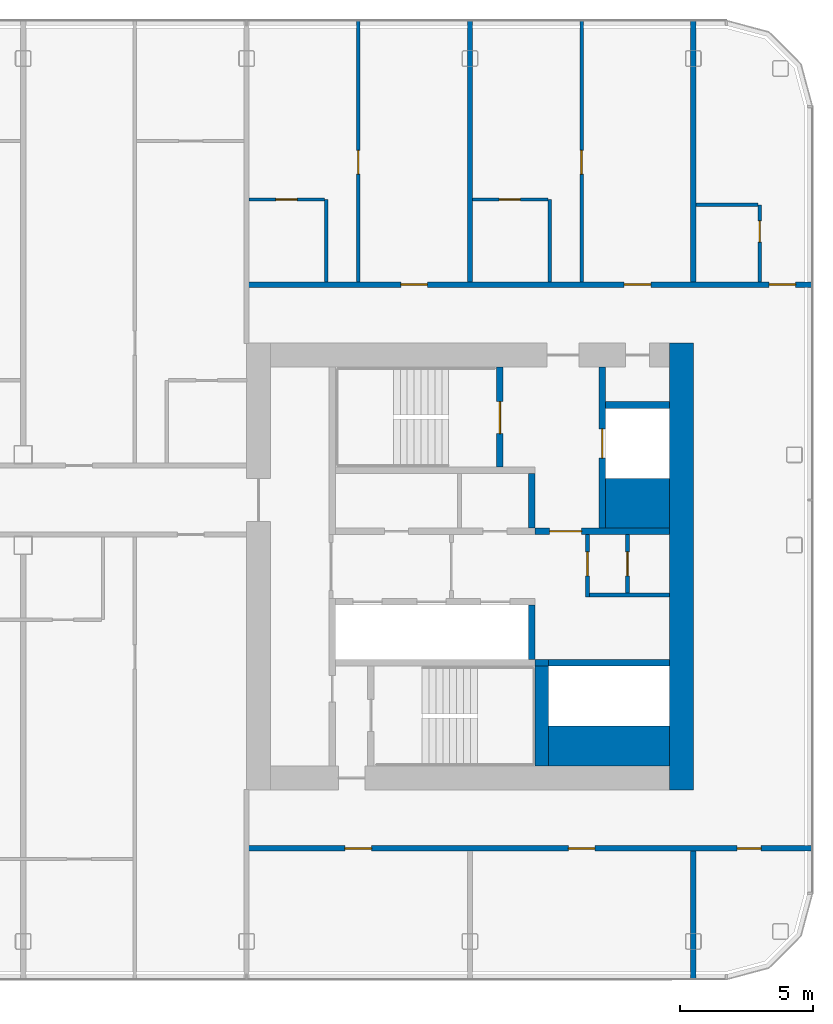
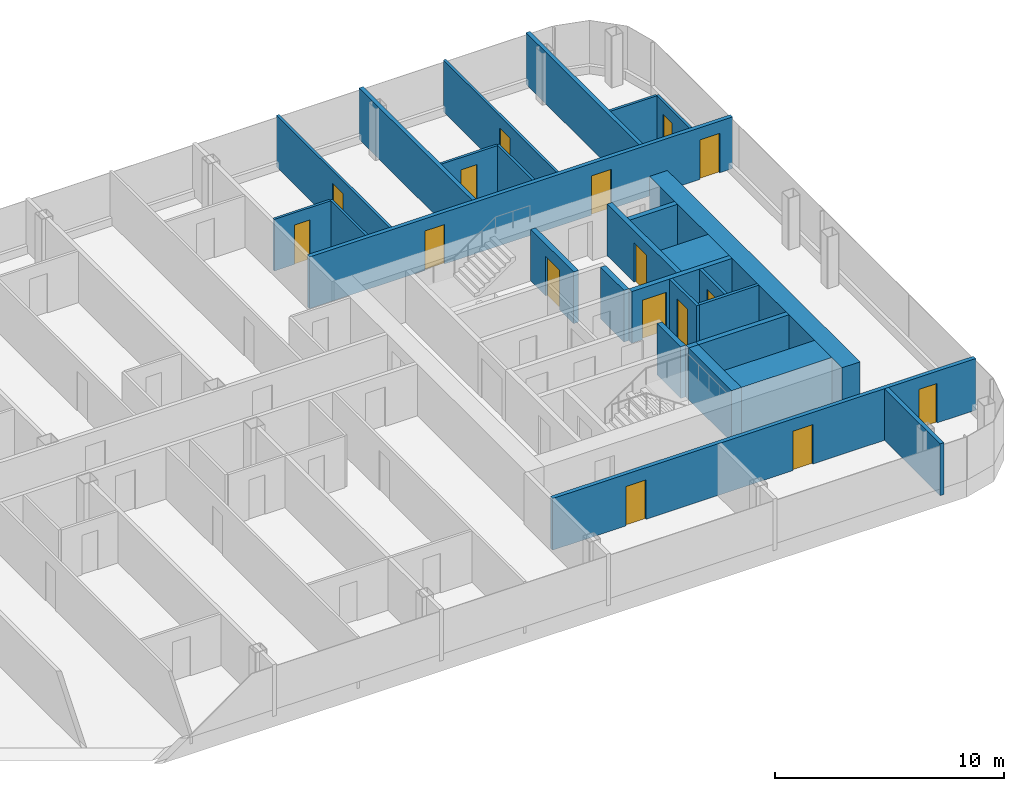
# One storey, part 17 of 26: 28 walls, 16 doors, 16 openings.
"""IFC4 building model written with IfcOpenShell, lengths in metres."""

from ifc_helpers import new_model, si_unit, direction, frame, frame_2d, origin, place, context, subcontext, project, spatial, rectangle, extrude, material, layer, layer_set, type_object, element, fill, save


model = new_model("IFC4")

# Units and contexts
model_context = context("Model", 3, precision=1e-05, world=origin(), true_north=direction((0.0, 1.0)))
body_context = subcontext(model_context, "Body", "Model", "MODEL_VIEW")
ifc_project = project(units=[si_unit("LENGTHUNIT", "METRE"), si_unit("AREAUNIT", "SQUARE_METRE"), si_unit("VOLUMEUNIT", "CUBIC_METRE"), si_unit("PLANEANGLEUNIT", "RADIAN"), si_unit("MASSUNIT", "GRAM", prefix="KILO")], contexts=[model_context])

# Site, building, storey
site_placement = place(None, origin())
site = spatial("IfcSite", under=ifc_project, at=site_placement, CompositionType="ELEMENT")
building_placement = place(site_placement, origin())
building = spatial("IfcBuilding", under=site, at=building_placement, Name="Hakoniwa Tower and Hamabe Station Hall", CompositionType="ELEMENT")
storey_placement = place(building_placement, frame((0.0, 0.0, 215.39990234375)))
storey = spatial("IfcBuildingStorey", under=building, at=storey_placement, Name="L61", CompositionType="ELEMENT", Elevation=215.39990234375)

# Wall
ifc_material_1 = material(Name="Gypsum board partition", Category="gypsum")
ifc_layer_1 = layer(ifc_material_1, 0.125)
ifc_layer_set_1 = layer_set([ifc_layer_1], Name="Bathroom Partition 125")
wall_type_1 = type_object("IfcWallType", Name="Bathroom Partition 125", PredefinedType="PARTITIONING", material=ifc_layer_set_1)
wall_1_placement = place(storey_placement, frame((33.699951171875, 13.60009765625, 0.0), z_axis=(0.0, 0.0, 1.0), x_axis=(1.0, 0.0, 0.0)))
element("IfcWall", 1, at=wall_1_placement, inside=storey, type_object=wall_type_1, Name="GW-L61-017", PredefinedType="PARTITIONING", context=body_context, shape_type="SweptSolid", body=[
    extrude(rectangle(XDim=2.337646484375, YDim=0.125, at=frame_2d((1.1689453125, 0.0))), origin(), (0.0, 0.0, 1.0), 2.75),
])

# Wall, opening, door
wall_2_placement = place(storey_placement, frame((16.89990234375, 13.800048828125, 0.0), z_axis=(0.0, 0.0, 1.0), x_axis=(1.0, 0.0, 0.0)))
wall_2 = element("IfcWall", 2, at=wall_2_placement, inside=storey, type_object=wall_type_1, Name="GW-L61-018", PredefinedType="PARTITIONING", context=body_context, shape_type="SweptSolid", body=[
    extrude(rectangle(XDim=2.837646484375, YDim=0.125, at=frame_2d((1.4189453125, 0.0))), origin(), (0.0, 0.0, 1.0), 2.75),
])
opening_1_placement = place(wall_2_placement, frame((1.0, 0.0, 0.0)))
opening_1 = element("IfcOpeningElement", 3, at=opening_1_placement, cuts=wall_2, Name="Opening GD-G4E1-36", PredefinedType="OPENING", context=body_context, shape_type="SweptSolid", body=[
    extrude(rectangle(XDim=0.800048828125, YDim=2.10009765625, at=frame_2d((0.39990234375, 1.050048828125))), frame((0.0, 0.072509765625, 0.0), z_axis=(0.0, -1.0, 0.0), x_axis=(1.0, 0.0, 0.0)), (0.0, 0.0, 1.0), 0.14501953125),
])
ifc_material_2 = material(Name="Timber door leaf", Category="wood")
door_type_1 = type_object("IfcDoorType", Name="Bathroom Door 800", OperationType="SINGLE_SWING_LEFT", PredefinedType="DOOR", material=ifc_material_2)
door_1_placement = place(opening_1_placement, origin())
door_1 = element("IfcDoor", 4, at=door_1_placement, inside=storey, type_object=door_type_1, Name="Door GD-G4E1-36", OperationType="SINGLE_SWING_LEFT", OverallHeight=2.10009765625, OverallWidth=0.800048828125, PredefinedType="DOOR", context=body_context, shape_type="SweptSolid", body=[
    extrude(rectangle(XDim=0.800048828125, YDim=2.10009765625, at=frame_2d((0.39990234375, 1.050048828125))), frame((0.0, 0.02490234375, 0.0), z_axis=(0.0, -1.0, 0.0), x_axis=(1.0, 0.0, 0.0)), (0.0, 0.0, 1.0), 0.050048828125),
])
fill(opening_1, door_1)

wall_3_placement = place(storey_placement, frame((25.300048828125, 13.800048828125, 0.0), z_axis=(0.0, 0.0, 1.0), x_axis=(1.0, 0.0, 0.0)))
wall_3 = element("IfcWall", 5, at=wall_3_placement, inside=storey, type_object=wall_type_1, Name="GW-L61-019", PredefinedType="PARTITIONING", context=body_context, shape_type="SweptSolid", body=[
    extrude(rectangle(XDim=2.83740234375, YDim=0.125, at=frame_2d((1.418701171875, 0.0))), origin(), (0.0, 0.0, 1.0), 2.75),
])
opening_2_placement = place(wall_3_placement, frame((1.0, 0.0, 0.0)))
opening_2 = element("IfcOpeningElement", 6, at=opening_2_placement, cuts=wall_3, Name="Opening GD-G4E1-37", PredefinedType="OPENING", context=body_context, shape_type="SweptSolid", body=[
    extrude(rectangle(XDim=0.800048828125, YDim=2.10009765625, at=frame_2d((0.39990234375, 1.050048828125))), frame((0.0, 0.072509765625, 0.0), z_axis=(0.0, -1.0, 0.0), x_axis=(1.0, 0.0, 0.0)), (0.0, 0.0, 1.0), 0.14501953125),
])
door_2_placement = place(opening_2_placement, origin())
door_2 = element("IfcDoor", 7, at=door_2_placement, inside=storey, type_object=door_type_1, Name="Door GD-G4E1-37", OperationType="SINGLE_SWING_RIGHT", OverallHeight=2.10009765625, OverallWidth=0.800048828125, PredefinedType="DOOR", context=body_context, shape_type="SweptSolid", body=[
    extrude(rectangle(XDim=0.800048828125, YDim=2.10009765625, at=frame_2d((0.39990234375, 1.050048828125))), frame((0.0, 0.02490234375, 0.0), z_axis=(0.0, -1.0, 0.0), x_axis=(1.0, 0.0, 0.0)), (0.0, 0.0, 1.0), 0.050048828125),
])
fill(opening_2, door_2)

# Walls
for number, where, z_axis, x_axis, name in (
    (8, (19.800048828125, 10.699951171875, 0.0), (0.0, 0.0, 1.0), (0.0, 1.0, 0.0), "GW-L61-056"),
    (9, (28.199951171875, 10.699951171875, 0.0), (0.0, 0.0, 1.0), (0.0, 1.0, 0.0), "GW-L61-060"),
):
    element("IfcWall", number, at=place(storey_placement, frame(where, z_axis=z_axis, x_axis=x_axis)), inside=storey, type_object=wall_type_1, Name=name, PredefinedType="PARTITIONING", context=body_context, shape_type="SweptSolid", body=[
        extrude(rectangle(XDim=3.10009765625, YDim=0.125, at=frame_2d((1.550048828125, 0.0))), origin(), (0.0, 0.0, 1.0), 2.75),
    ])

# Wall, opening, door
wall_4_placement = place(storey_placement, frame((36.10009765625, 10.699951171875, 0.0), z_axis=(0.0, 0.0, 1.0), x_axis=(0.0, 1.0, 0.0)))
wall_4 = element("IfcWall", 10, at=wall_4_placement, inside=storey, type_object=wall_type_1, Name="GW-L61-064", PredefinedType="PARTITIONING", context=body_context, shape_type="SweptSolid", body=[
    extrude(rectangle(XDim=2.900146484375, YDim=0.125, at=frame_2d((1.4501953125, 0.0))), origin(), (0.0, 0.0, 1.0), 2.75),
])
opening_3_placement = place(wall_4_placement, frame((1.5, 0.0, 0.0)))
opening_3 = element("IfcOpeningElement", 11, at=opening_3_placement, cuts=wall_4, Name="Opening GD-G4E1-51", PredefinedType="OPENING", context=body_context, shape_type="SweptSolid", body=[
    extrude(rectangle(XDim=0.800048828125, YDim=2.10009765625, at=frame_2d((0.39990234375, 1.050048828125))), frame((0.0, 0.072509765625, 0.0), z_axis=(0.0, -1.0, 0.0), x_axis=(1.0, 0.0, 0.0)), (0.0, 0.0, 1.0), 0.14501953125),
])
door_3_placement = place(opening_3_placement, origin())
door_3 = element("IfcDoor", 12, at=door_3_placement, inside=storey, type_object=door_type_1, Name="Door GD-G4E1-51", OperationType="SINGLE_SWING_LEFT", OverallHeight=2.10009765625, OverallWidth=0.800048828125, PredefinedType="DOOR", context=body_context, shape_type="SweptSolid", body=[
    extrude(rectangle(XDim=0.800048828125, YDim=2.10009765625, at=frame_2d((0.39990234375, 1.050048828125))), frame((0.0, 0.02490234375, 0.0), z_axis=(0.0, -1.0, 0.0), x_axis=(1.0, 0.0, 0.0)), (0.0, 0.0, 1.0), 0.050048828125),
])
fill(opening_3, door_3)

ifc_material_3 = material(Name="Gypsum board partition")
ifc_layer_2 = layer(ifc_material_3, 0.14990234375)
ifc_layer_set_2 = layer_set([ifc_layer_2], Name="CORE PARTITION 150 EI 60")
wall_type_2 = type_object("IfcWallType", Name="CORE PARTITION 150 EI 60", PredefinedType="PARTITIONING", material=ifc_layer_set_2)
wall_5_placement = place(storey_placement, frame((29.625, -1.14990234375, 0.0), z_axis=(0.0, 0.0, 1.0), x_axis=(0.0, 1.0, 0.0)))
wall_5 = element("IfcWall", 13, at=wall_5_placement, inside=storey, type_object=wall_type_2, Name="Core partition PW0 east", PredefinedType="PARTITIONING", context=body_context, shape_type="SweptSolid", body=[
    extrude(rectangle(XDim=2.349853515625, YDim=0.14990234375, at=frame_2d((1.1748046875, 0.0))), origin(), (0.0, 0.0, 1.0), 2.75),
])
opening_4_placement = place(wall_5_placement, frame((0.800048828125, 0.0, 0.0)))
opening_4 = element("IfcOpeningElement", 14, at=opening_4_placement, cuts=wall_5, Name="Opening CD-E-RM1-9", PredefinedType="OPENING", context=body_context, shape_type="SweptSolid", body=[
    extrude(rectangle(XDim=0.89990234375, YDim=2.10009765625, at=frame_2d((0.449951171875, 1.050048828125))), frame((0.0, 0.0849609375, 0.0), z_axis=(0.0, -1.0, 0.0), x_axis=(1.0, 0.0, 0.0)), (0.0, 0.0, 1.0), 0.169921875),
])
ifc_material_4 = material(Name="Steel fire door", Category="steel")
door_type_2 = type_object("IfcDoorType", Name="CORE DOOR 900 FD30", OperationType="NOTDEFINED", PredefinedType="DOOR", material=ifc_material_4)
door_4_placement = place(opening_4_placement, origin())
door_4 = element("IfcDoor", 15, at=door_4_placement, inside=storey, type_object=door_type_2, Name="Store room door", OperationType="SINGLE_SWING_LEFT", OverallHeight=2.10009765625, OverallWidth=0.89990234375, PredefinedType="DOOR", context=body_context, shape_type="SweptSolid", body=[
    extrude(rectangle(XDim=0.89990234375, YDim=2.10009765625, at=frame_2d((0.449951171875, 1.050048828125))), frame((0.0, 0.02490234375, 0.0), z_axis=(0.0, -1.0, 0.0), x_axis=(1.0, 0.0, 0.0)), (0.0, 0.0, 1.0), 0.050048828125),
])
fill(opening_4, door_4)

# Wall
wall_6_placement = place(storey_placement, frame((29.699951171875, -1.074951171875, 0.0), z_axis=(0.0, 0.0, 1.0), x_axis=(1.0, 0.0, 0.0)))
element("IfcWall", 16, at=wall_6_placement, inside=storey, type_object=wall_type_2, Name="Core partition PS east", PredefinedType="PARTITIONING", context=body_context, shape_type="SweptSolid", body=[
    extrude(rectangle(XDim=3.0, YDim=0.14990234375, at=frame_2d((1.5, 0.0))), origin(), (0.0, 0.0, 1.0), 2.75),
])

# Wall, opening, door
wall_7_placement = place(storey_placement, frame((31.125, -1.0, 0.0), z_axis=(0.0, 0.0, 1.0), x_axis=(0.0, 1.0, 0.0)))
wall_7 = element("IfcWall", 17, at=wall_7_placement, inside=storey, type_object=wall_type_2, Name="Core partition PW1 east", PredefinedType="PARTITIONING", context=body_context, shape_type="SweptSolid", body=[
    extrude(rectangle(XDim=2.199951171875, YDim=0.14990234375, at=frame_2d((1.10009765625, 0.0))), origin(), (0.0, 0.0, 1.0), 2.75),
])
opening_5_placement = place(wall_7_placement, frame((0.64990234375, 0.0, 0.0)))
opening_5 = element("IfcOpeningElement", 18, at=opening_5_placement, cuts=wall_7, Name="Opening CD-E-RM2-9", PredefinedType="OPENING", context=body_context, shape_type="SweptSolid", body=[
    extrude(rectangle(XDim=0.89990234375, YDim=2.10009765625, at=frame_2d((0.449951171875, 1.050048828125))), frame((0.0, 0.0849609375, 0.0), z_axis=(0.0, -1.0, 0.0), x_axis=(1.0, 0.0, 0.0)), (0.0, 0.0, 1.0), 0.169921875),
])
door_5_placement = place(opening_5_placement, origin())
door_5 = element("IfcDoor", 19, at=door_5_placement, inside=storey, type_object=door_type_2, Name="Store room door", OperationType="SINGLE_SWING_LEFT", OverallHeight=2.10009765625, OverallWidth=0.89990234375, PredefinedType="DOOR", context=body_context, shape_type="SweptSolid", body=[
    extrude(rectangle(XDim=0.89990234375, YDim=2.10009765625, at=frame_2d((0.449951171875, 1.050048828125))), frame((0.0, 0.02490234375, 0.0), z_axis=(0.0, -1.0, 0.0), x_axis=(1.0, 0.0, 0.0)), (0.0, 0.0, 1.0), 0.050048828125),
])
fill(opening_5, door_5)

# Walls
ifc_material_5 = material(Name="Concrete C60", Category="concrete")
ifc_layer_3 = layer(ifc_material_5, 0.89990234375)
ifc_layer_set_3 = layer_set([ifc_layer_3], Name="CORE WALL 900 C60")
wall_type_3 = type_object("IfcWallType", Name="CORE WALL 900 C60", PredefinedType="SHEAR", material=ifc_layer_set_3)
wall_8_placement = place(storey_placement, frame((33.14990234375, -8.39990234375, 0.0), z_axis=(0.0, 0.0, 1.0), x_axis=(0.0, 1.0, 0.0)))
element("IfcWall", 20, at=wall_8_placement, inside=storey, type_object=wall_type_3, Name="Core wall OUTER east", PredefinedType="SHEAR", context=body_context, shape_type="SweptSolid", body=[
    extrude(rectangle(XDim=16.7998046875, YDim=0.89990234375, at=frame_2d((8.39990234375, 0.0))), origin(), (0.0, 0.0, 1.0), 2.75),
])
ifc_material_6 = material(Name="Concrete C60", Category="concrete")
ifc_layer_4 = layer(ifc_material_6, 1.5)
ifc_layer_set_4 = layer_set([ifc_layer_4], Name="CORE WEB WALL 1500 C60")
wall_type_4 = type_object("IfcWallType", Name="CORE WEB WALL 1500 C60", PredefinedType="SHEAR", material=ifc_layer_set_4)
wall_9_placement = place(storey_placement, frame((28.14990234375, -6.75, 0.0), z_axis=(0.0, 0.0, 1.0), x_axis=(1.0, 0.0, 0.0)))
element("IfcWall", 21, at=wall_9_placement, inside=storey, type_object=wall_type_4, Name="Core wall SER east", PredefinedType="SHEAR", context=body_context, shape_type="SweptSolid", body=[
    extrude(rectangle(XDim=4.550048828125, YDim=1.5, at=frame_2d((2.27490234375, 0.0))), origin(), (0.0, 0.0, 1.0), 2.75),
])
ifc_material_7 = material(Name="Concrete C60", Category="concrete")
ifc_layer_5 = layer(ifc_material_7, 1.85009765625)
ifc_layer_set_5 = layer_set([ifc_layer_5], Name="CORE WEB WALL 1850 C60")
wall_type_5 = type_object("IfcWallType", Name="CORE WEB WALL 1850 C60", PredefinedType="SHEAR", material=ifc_layer_set_5)
wall_10_placement = place(storey_placement, frame((30.300048828125, 2.375, 0.0), z_axis=(0.0, 0.0, 1.0), x_axis=(1.0, 0.0, 0.0)))
element("IfcWall", 22, at=wall_10_placement, inside=storey, type_object=wall_type_5, Name="Core wall CA east", PredefinedType="SHEAR", context=body_context, shape_type="SweptSolid", body=[
    extrude(rectangle(XDim=2.39990234375, YDim=1.85009765625, at=frame_2d((1.199951171875, 0.0))), origin(), (0.0, 0.0, 1.0), 2.75),
])
ifc_material_8 = material(Name="Concrete C60", Category="concrete")
ifc_layer_6 = layer(ifc_material_8, 0.25)
ifc_layer_set_6 = layer_set([ifc_layer_6], Name="CORE WEB WALL 250 C60")
wall_type_6 = type_object("IfcWallType", Name="CORE WEB WALL 250 C60", PredefinedType="SHEAR", material=ifc_layer_set_6)
wall_11_placement = place(storey_placement, frame((27.52490234375, 1.449951171875, 0.0), z_axis=(0.0, 0.0, 1.0), x_axis=(0.0, 1.0, 0.0)))
element("IfcWall", 23, at=wall_11_placement, inside=storey, type_object=wall_type_6, Name="Core wall NE east", PredefinedType="SHEAR", context=body_context, shape_type="SweptSolid", body=[
    extrude(rectangle(XDim=2.050048828125, YDim=0.25, at=frame_2d((1.02490234375, 0.0))), origin(), (0.0, 0.0, 1.0), 2.75),
])

# Wall, opening, door
wall_12_placement = place(storey_placement, frame((26.324951171875, 3.75, 0.0), z_axis=(0.0, 0.0, 1.0), x_axis=(0.0, 1.0, 0.0)))
wall_12 = element("IfcWall", 24, at=wall_12_placement, inside=storey, type_object=wall_type_6, Name="Core wall NSE east", PredefinedType="SHEAR", context=body_context, shape_type="SweptSolid", body=[
    extrude(rectangle(XDim=3.75, YDim=0.25, at=frame_2d((1.875, 0.0))), origin(), (0.0, 0.0, 1.0), 2.75),
])
opening_6_placement = place(wall_12_placement, frame((1.25, 0.0, 0.0)))
opening_6 = element("IfcOpeningElement", 25, at=opening_6_placement, cuts=wall_12, Name="Opening CD-E-SN-12", PredefinedType="OPENING", context=body_context, shape_type="SweptSolid", body=[
    extrude(rectangle(XDim=1.199951171875, YDim=2.10009765625, at=frame_2d((0.60009765625, 1.050048828125))), frame((0.0, 0.135009765625, 0.0), z_axis=(0.0, -1.0, 0.0), x_axis=(1.0, 0.0, 0.0)), (0.0, 0.0, 1.0), 0.27001953125),
])
ifc_material_9 = material(Name="Steel fire door", Category="steel")
door_type_3 = type_object("IfcDoorType", Name="CORE DOOR 1200 FD60", OperationType="DOUBLE_DOOR_SINGLE_SWING", PredefinedType="DOOR", material=ifc_material_9)
door_6_placement = place(opening_6_placement, origin())
door_6 = element("IfcDoor", 26, at=door_6_placement, inside=storey, type_object=door_type_3, Name="Escape stair door", OperationType="DOUBLE_DOOR_SINGLE_SWING", OverallHeight=2.10009765625, OverallWidth=1.199951171875, PredefinedType="DOOR", context=body_context, shape_type="SweptSolid", body=[
    extrude(rectangle(XDim=1.199951171875, YDim=2.10009765625, at=frame_2d((0.60009765625, 1.050048828125))), frame((0.0, 0.02490234375, 0.0), z_axis=(0.0, -1.0, 0.0), x_axis=(1.0, 0.0, 0.0)), (0.0, 0.0, 1.0), 0.050048828125),
])
fill(opening_6, door_6)

wall_13_placement = place(storey_placement, frame((27.64990234375, 1.324951171875, 0.0), z_axis=(0.0, 0.0, 1.0), x_axis=(1.0, 0.0, 0.0)))
wall_13 = element("IfcWall", 27, at=wall_13_placement, inside=storey, type_object=wall_type_6, Name="Core wall ELN east", PredefinedType="SHEAR", context=body_context, shape_type="SweptSolid", body=[
    extrude(rectangle(XDim=5.050048828125, YDim=0.25, at=frame_2d((2.52490234375, 0.0))), origin(), (0.0, 0.0, 1.0), 2.75),
])
opening_7_placement = place(wall_13_placement, frame((0.550048828125, 0.0, 0.0)))
opening_7 = element("IfcOpeningElement", 28, at=opening_7_placement, cuts=wall_13, Name="Opening CD-E-FL-12", PredefinedType="OPENING", context=body_context, shape_type="SweptSolid", body=[
    extrude(rectangle(XDim=1.199951171875, YDim=2.10009765625, at=frame_2d((0.60009765625, 1.050048828125))), frame((0.0, 0.135009765625, 0.0), z_axis=(0.0, -1.0, 0.0), x_axis=(1.0, 0.0, 0.0)), (0.0, 0.0, 1.0), 0.27001953125),
])
door_7_placement = place(opening_7_placement, origin())
door_7 = element("IfcDoor", 29, at=door_7_placement, inside=storey, type_object=door_type_3, Name="Stair vestibule door to the fire-fighting lobby", OperationType="DOUBLE_DOOR_SINGLE_SWING", OverallHeight=2.10009765625, OverallWidth=1.199951171875, PredefinedType="DOOR", context=body_context, shape_type="SweptSolid", body=[
    extrude(rectangle(XDim=1.199951171875, YDim=2.10009765625, at=frame_2d((0.60009765625, 1.050048828125))), frame((0.0, 0.02490234375, 0.0), z_axis=(0.0, -1.0, 0.0), x_axis=(1.0, 0.0, 0.0)), (0.0, 0.0, 1.0), 0.050048828125),
])
fill(opening_7, door_7)

wall_14_placement = place(storey_placement, frame((30.175048828125, 1.449951171875, 0.0), z_axis=(0.0, 0.0, 1.0), x_axis=(0.0, 1.0, 0.0)))
wall_14 = element("IfcWall", 30, at=wall_14_placement, inside=storey, type_object=wall_type_6, Name="Core wall FFF east", PredefinedType="SHEAR", context=body_context, shape_type="SweptSolid", body=[
    extrude(rectangle(XDim=6.050048828125, YDim=0.25, at=frame_2d((3.02490234375, 0.0))), origin(), (0.0, 0.0, 1.0), 2.75),
])
opening_8_placement = place(wall_14_placement, frame((2.625, 0.0, 0.0)))
opening_8 = element("IfcOpeningElement", 31, at=opening_8_placement, cuts=wall_14, Name="Opening LD-FF2", PredefinedType="OPENING", context=body_context, shape_type="SweptSolid", body=[
    extrude(rectangle(XDim=1.10009765625, YDim=2.10009765625, at=frame_2d((0.550048828125, 1.050048828125))), frame((0.0, 0.135009765625, 0.0), z_axis=(0.0, -1.0, 0.0), x_axis=(1.0, 0.0, 0.0)), (0.0, 0.0, 1.0), 0.27001953125),
])
ifc_material_10 = material(Name="Stainless steel SUS304", Category="steel")
door_type_4 = type_object("IfcDoorType", Name="LIFT LANDING DOOR 1100 FD60", OperationType="DOUBLE_DOOR_SLIDING", PredefinedType="DOOR", material=ifc_material_10)
door_8_placement = place(opening_8_placement, origin())
door_8 = element("IfcDoor", 32, at=door_8_placement, inside=storey, type_object=door_type_4, Name="Lift landing door FF2 L61", OperationType="DOUBLE_DOOR_SLIDING", OverallHeight=2.10009765625, OverallWidth=1.10009765625, PredefinedType="DOOR", context=body_context, shape_type="SweptSolid", body=[
    extrude(rectangle(XDim=1.10009765625, YDim=2.10009765625, at=frame_2d((0.550048828125, 1.050048828125))), frame((0.0, 0.02490234375, 0.0), z_axis=(0.0, -1.0, 0.0), x_axis=(1.0, 0.0, 0.0)), (0.0, 0.0, 1.0), 0.050048828125),
])
fill(opening_8, door_8)

# Walls
wall_15_placement = place(storey_placement, frame((30.300048828125, 6.074951171875, 0.0), z_axis=(0.0, 0.0, 1.0), x_axis=(1.0, 0.0, 0.0)))
element("IfcWall", 33, at=wall_15_placement, inside=storey, type_object=wall_type_6, Name="Core wall C2 east", PredefinedType="SHEAR", context=body_context, shape_type="SweptSolid", body=[
    extrude(rectangle(XDim=2.39990234375, YDim=0.25, at=frame_2d((1.199951171875, 0.0))), origin(), (0.0, 0.0, 1.0), 2.75),
])
wall_16_placement = place(storey_placement, frame((27.52490234375, -3.5, 0.0), z_axis=(0.0, 0.0, 1.0), x_axis=(0.0, 1.0, 0.0)))
element("IfcWall", 34, at=wall_16_placement, inside=storey, type_object=wall_type_6, Name="Core wall SE east", PredefinedType="SHEAR", context=body_context, shape_type="SweptSolid", body=[
    extrude(rectangle(XDim=2.050048828125, YDim=0.25, at=frame_2d((1.02490234375, 0.0))), origin(), (0.0, 0.0, 1.0), 2.75),
])
wall_17_placement = place(storey_placement, frame((28.14990234375, -3.625, 0.0), z_axis=(0.0, 0.0, 1.0), x_axis=(1.0, 0.0, 0.0)))
element("IfcWall", 35, at=wall_17_placement, inside=storey, type_object=wall_type_6, Name="Core wall SEF east", PredefinedType="SHEAR", context=body_context, shape_type="SweptSolid", body=[
    extrude(rectangle(XDim=4.550048828125, YDim=0.25, at=frame_2d((2.27490234375, 0.0))), origin(), (0.0, 0.0, 1.0), 2.75),
])
wall_18_placement = place(storey_placement, frame((27.64990234375, -3.625, 0.0), z_axis=(0.0, 0.0, 1.0), x_axis=(1.0, 0.0, 0.0)))
element("IfcWall", 36, at=wall_18_placement, inside=storey, type_object=wall_type_6, Name="Core wall SRK east", PredefinedType="SHEAR", context=body_context, shape_type="SweptSolid", body=[
    extrude(rectangle(XDim=0.5, YDim=0.25, at=frame_2d((0.25, 0.0))), origin(), (0.0, 0.0, 1.0), 2.75),
])
ifc_material_11 = material(Name="Concrete C60", Category="concrete")
ifc_layer_7 = layer(ifc_material_11, 0.5)
ifc_layer_set_7 = layer_set([ifc_layer_7], Name="CORE WEB WALL 500 C60")
wall_type_7 = type_object("IfcWallType", Name="CORE WEB WALL 500 C60", PredefinedType="SHEAR", material=ifc_layer_set_7)
wall_19_placement = place(storey_placement, frame((27.89990234375, -7.5, 0.0), z_axis=(0.0, 0.0, 1.0), x_axis=(0.0, 1.0, 0.0)))
element("IfcWall", 37, at=wall_19_placement, inside=storey, type_object=wall_type_7, Name="Core wall SSE east", PredefinedType="SHEAR", context=body_context, shape_type="SweptSolid", body=[
    extrude(rectangle(XDim=3.75, YDim=0.5, at=frame_2d((1.875, 0.0))), origin(), (0.0, 0.0, 1.0), 2.75),
])

# Wall, openings, doors
ifc_material_12 = material(Name="Fire-rated gypsum board partition", Category="gypsum")
ifc_layer_8 = layer(ifc_material_12, 0.199951171875)
ifc_layer_set_8 = layer_set([ifc_layer_8], Name="Corridor Wall 200")
wall_type_8 = type_object("IfcWallType", Name="Corridor Wall 200", PredefinedType="PARTITIONING", material=ifc_layer_set_8)
wall_20_placement = place(storey_placement, frame((16.800048828125, -10.60009765625, 0.0), z_axis=(0.0, 0.0, 1.0), x_axis=(1.0, 0.0, 0.0)))
wall_20 = element("IfcWall", 38, at=wall_20_placement, inside=storey, type_object=wall_type_8, Name="GW-L61-005", PredefinedType="PARTITIONING", context=body_context, shape_type="SweptSolid", body=[
    extrude(rectangle(XDim=21.300048828125, YDim=0.199951171875, at=frame_2d((10.64990234375, 0.0))), origin(), (0.0, 0.0, 1.0), 2.75),
])
opening_9_placement = place(wall_20_placement, frame((3.699951171875, 0.0, 0.0)))
opening_9 = element("IfcOpeningElement", 39, at=opening_9_placement, cuts=wall_20, Name="Opening GD-G4E1-10", PredefinedType="OPENING", context=body_context, shape_type="SweptSolid", body=[
    extrude(rectangle(XDim=1.0, YDim=2.10009765625, at=frame_2d((0.5, 1.050048828125))), frame((0.0, 0.10986328125, 0.0), z_axis=(0.0, -1.0, 0.0), x_axis=(1.0, 0.0, 0.0)), (0.0, 0.0, 1.0), 0.219970703125),
])
opening_10_placement = place(wall_20_placement, frame((12.10009765625, 0.0, 0.0)))
opening_10 = element("IfcOpeningElement", 40, at=opening_10_placement, cuts=wall_20, Name="Opening GD-G4E1-11", PredefinedType="OPENING", context=body_context, shape_type="SweptSolid", body=[
    extrude(rectangle(XDim=1.0, YDim=2.10009765625, at=frame_2d((0.5, 1.050048828125))), frame((0.0, 0.10986328125, 0.0), z_axis=(0.0, -1.0, 0.0), x_axis=(1.0, 0.0, 0.0)), (0.0, 0.0, 1.0), 0.219970703125),
])
opening_11_placement = place(wall_20_placement, frame((18.449951171875, 0.0, 0.0)))
opening_11 = element("IfcOpeningElement", 41, at=opening_11_placement, cuts=wall_20, Name="Opening GD-G4E1-12", PredefinedType="OPENING", context=body_context, shape_type="SweptSolid", body=[
    extrude(rectangle(XDim=0.89990234375, YDim=2.10009765625, at=frame_2d((0.449951171875, 1.050048828125))), frame((0.0, 0.10986328125, 0.0), z_axis=(0.0, -1.0, 0.0), x_axis=(1.0, 0.0, 0.0)), (0.0, 0.0, 1.0), 0.219970703125),
])
ifc_material_13 = material(Name="Timber door leaf", Category="wood")
door_type_5 = type_object("IfcDoorType", Name="Guest Entrance Door 1000", OperationType="SINGLE_SWING_LEFT", PredefinedType="DOOR", material=ifc_material_13)
door_9_placement = place(opening_9_placement, origin())
door_9 = element("IfcDoor", 42, at=door_9_placement, inside=storey, type_object=door_type_5, Name="Door GD-G4E1-10", OperationType="SINGLE_SWING_LEFT", OverallHeight=2.10009765625, OverallWidth=1.0, PredefinedType="DOOR", context=body_context, shape_type="SweptSolid", body=[
    extrude(rectangle(XDim=1.0, YDim=2.10009765625, at=frame_2d((0.5, 1.050048828125))), frame((0.0, 0.02490234375, 0.0), z_axis=(0.0, -1.0, 0.0), x_axis=(1.0, 0.0, 0.0)), (0.0, 0.0, 1.0), 0.050048828125),
])
fill(opening_9, door_9)
door_10_placement = place(opening_10_placement, origin())
door_10 = element("IfcDoor", 43, at=door_10_placement, inside=storey, type_object=door_type_5, Name="Door GD-G4E1-11", OperationType="SINGLE_SWING_RIGHT", OverallHeight=2.10009765625, OverallWidth=1.0, PredefinedType="DOOR", context=body_context, shape_type="SweptSolid", body=[
    extrude(rectangle(XDim=1.0, YDim=2.10009765625, at=frame_2d((0.5, 1.050048828125))), frame((0.0, 0.02490234375, 0.0), z_axis=(0.0, -1.0, 0.0), x_axis=(1.0, 0.0, 0.0)), (0.0, 0.0, 1.0), 0.050048828125),
])
fill(opening_10, door_10)
ifc_material_14 = material(Name="Timber door leaf", Category="wood")
door_type_6 = type_object("IfcDoorType", Name="Service Door 900", OperationType="SINGLE_SWING_LEFT", PredefinedType="DOOR", material=ifc_material_14)
door_11_placement = place(opening_11_placement, origin())
door_11 = element("IfcDoor", 44, at=door_11_placement, inside=storey, type_object=door_type_6, Name="Door GD-G4E1-12", OperationType="SINGLE_SWING_LEFT", OverallHeight=2.10009765625, OverallWidth=0.89990234375, PredefinedType="DOOR", context=body_context, shape_type="SweptSolid", body=[
    extrude(rectangle(XDim=0.89990234375, YDim=2.10009765625, at=frame_2d((0.449951171875, 1.050048828125))), frame((0.0, 0.02490234375, 0.0), z_axis=(0.0, -1.0, 0.0), x_axis=(1.0, 0.0, 0.0)), (0.0, 0.0, 1.0), 0.050048828125),
])
fill(opening_11, door_11)

wall_21_placement = place(storey_placement, frame((16.800048828125, 10.60009765625, 0.0), z_axis=(0.0, 0.0, 1.0), x_axis=(1.0, 0.0, 0.0)))
wall_21 = element("IfcWall", 45, at=wall_21_placement, inside=storey, type_object=wall_type_8, Name="GW-L61-016", PredefinedType="PARTITIONING", context=body_context, shape_type="SweptSolid", body=[
    extrude(rectangle(XDim=21.300048828125, YDim=0.199951171875, at=frame_2d((10.64990234375, 0.0))), origin(), (0.0, 0.0, 1.0), 2.75),
])
opening_12_placement = place(wall_21_placement, frame((5.800048828125, 0.0, 0.0)))
opening_12 = element("IfcOpeningElement", 46, at=opening_12_placement, cuts=wall_21, Name="Opening GD-G4E1-33", PredefinedType="OPENING", context=body_context, shape_type="SweptSolid", body=[
    extrude(rectangle(XDim=1.0, YDim=2.10009765625, at=frame_2d((0.5, 1.050048828125))), frame((0.0, 0.10986328125, 0.0), z_axis=(0.0, -1.0, 0.0), x_axis=(1.0, 0.0, 0.0)), (0.0, 0.0, 1.0), 0.219970703125),
])
opening_13_placement = place(wall_21_placement, frame((14.199951171875, 0.0, 0.0)))
opening_13 = element("IfcOpeningElement", 47, at=opening_13_placement, cuts=wall_21, Name="Opening GD-G4E1-34", PredefinedType="OPENING", context=body_context, shape_type="SweptSolid", body=[
    extrude(rectangle(XDim=1.0, YDim=2.10009765625, at=frame_2d((0.5, 1.050048828125))), frame((0.0, 0.10986328125, 0.0), z_axis=(0.0, -1.0, 0.0), x_axis=(1.0, 0.0, 0.0)), (0.0, 0.0, 1.0), 0.219970703125),
])
opening_14_placement = place(wall_21_placement, frame((19.64990234375, 0.0, 0.0)))
opening_14 = element("IfcOpeningElement", 48, at=opening_14_placement, cuts=wall_21, Name="Opening GD-G4E1-35", PredefinedType="OPENING", context=body_context, shape_type="SweptSolid", body=[
    extrude(rectangle(XDim=1.0, YDim=2.10009765625, at=frame_2d((0.5, 1.050048828125))), frame((0.0, 0.10986328125, 0.0), z_axis=(0.0, -1.0, 0.0), x_axis=(1.0, 0.0, 0.0)), (0.0, 0.0, 1.0), 0.219970703125),
])
door_12_placement = place(opening_12_placement, origin())
door_12 = element("IfcDoor", 49, at=door_12_placement, inside=storey, type_object=door_type_5, Name="Door GD-G4E1-33", OperationType="SINGLE_SWING_RIGHT", OverallHeight=2.10009765625, OverallWidth=1.0, PredefinedType="DOOR", context=body_context, shape_type="SweptSolid", body=[
    extrude(rectangle(XDim=1.0, YDim=2.10009765625, at=frame_2d((0.5, 1.050048828125))), frame((0.0, 0.02490234375, 0.0), z_axis=(0.0, -1.0, 0.0), x_axis=(1.0, 0.0, 0.0)), (0.0, 0.0, 1.0), 0.050048828125),
])
fill(opening_12, door_12)
door_13_placement = place(opening_13_placement, origin())
door_13 = element("IfcDoor", 50, at=door_13_placement, inside=storey, type_object=door_type_5, Name="Door GD-G4E1-34", OperationType="SINGLE_SWING_LEFT", OverallHeight=2.10009765625, OverallWidth=1.0, PredefinedType="DOOR", context=body_context, shape_type="SweptSolid", body=[
    extrude(rectangle(XDim=1.0, YDim=2.10009765625, at=frame_2d((0.5, 1.050048828125))), frame((0.0, 0.02490234375, 0.0), z_axis=(0.0, -1.0, 0.0), x_axis=(1.0, 0.0, 0.0)), (0.0, 0.0, 1.0), 0.050048828125),
])
fill(opening_13, door_13)
door_14_placement = place(opening_14_placement, origin())
door_14 = element("IfcDoor", 51, at=door_14_placement, inside=storey, type_object=door_type_5, Name="Door GD-G4E1-35", OperationType="SINGLE_SWING_RIGHT", OverallHeight=2.10009765625, OverallWidth=1.0, PredefinedType="DOOR", context=body_context, shape_type="SweptSolid", body=[
    extrude(rectangle(XDim=1.0, YDim=2.10009765625, at=frame_2d((0.5, 1.050048828125))), frame((0.0, 0.02490234375, 0.0), z_axis=(0.0, -1.0, 0.0), x_axis=(1.0, 0.0, 0.0)), (0.0, 0.0, 1.0), 0.050048828125),
])
fill(opening_14, door_14)

# Walls
ifc_material_15 = material(Name="Fire-rated gypsum board partition", Category="gypsum")
ifc_layer_9 = layer(ifc_material_15, 0.199951171875)
ifc_layer_set_9 = layer_set([ifc_layer_9], Name="Party Wall 200")
wall_type_9 = type_object("IfcWallType", Name="Party Wall 200", PredefinedType="PARTITIONING", material=ifc_layer_set_9)
wall_22_placement = place(storey_placement, frame((25.199951171875, 10.699951171875, 0.0), z_axis=(0.0, 0.0, 1.0), x_axis=(0.0, 1.0, 0.0)))
element("IfcWall", 52, at=wall_22_placement, inside=storey, type_object=wall_type_9, Name="GW-L61-059", PredefinedType="PARTITIONING", context=body_context, shape_type="SweptSolid", body=[
    extrude(rectangle(XDim=9.85009765625, YDim=0.199951171875, at=frame_2d((4.925048828125, 0.0))), origin(), (0.0, 0.0, 1.0), 2.75),
])
wall_23_placement = place(storey_placement, frame((33.60009765625, -15.550048828125, 0.0), z_axis=(0.0, 0.0, 1.0), x_axis=(0.0, 1.0, 0.0)))
element("IfcWall", 53, at=wall_23_placement, inside=storey, type_object=wall_type_9, Name="GW-L61-062", PredefinedType="PARTITIONING", context=body_context, shape_type="SweptSolid", body=[
    extrude(rectangle(XDim=4.85009765625, YDim=0.199951171875, at=frame_2d((2.425048828125, 0.0))), origin(), (0.0, 0.0, 1.0), 2.75),
])
wall_24_placement = place(storey_placement, frame((33.60009765625, 10.699951171875, 0.0), z_axis=(0.0, 0.0, 1.0), x_axis=(0.0, 1.0, 0.0)))
element("IfcWall", 54, at=wall_24_placement, inside=storey, type_object=wall_type_9, Name="GW-L61-063", PredefinedType="PARTITIONING", context=body_context, shape_type="SweptSolid", body=[
    extrude(rectangle(XDim=9.85009765625, YDim=0.199951171875, at=frame_2d((4.925048828125, 0.0))), origin(), (0.0, 0.0, 1.0), 2.75),
])

# Wall, opening, door
ifc_material_16 = material(Name="Gypsum board partition", Category="gypsum")
ifc_layer_10 = layer(ifc_material_16, 0.125)
ifc_layer_set_10 = layer_set([ifc_layer_10], Name="Room Partition 125")
wall_type_10 = type_object("IfcWallType", Name="Room Partition 125", PredefinedType="PARTITIONING", material=ifc_layer_set_10)
wall_25_placement = place(storey_placement, frame((21.0, 10.699951171875, 0.0), z_axis=(0.0, 0.0, 1.0), x_axis=(0.0, 1.0, 0.0)))
wall_25 = element("IfcWall", 55, at=wall_25_placement, inside=storey, type_object=wall_type_10, Name="GW-L61-057", PredefinedType="PARTITIONING", context=body_context, shape_type="SweptSolid", body=[
    extrude(rectangle(XDim=9.85009765625, YDim=0.125, at=frame_2d((4.925048828125, 0.0))), origin(), (0.0, 0.0, 1.0), 2.75),
])
opening_15_placement = place(wall_25_placement, frame((4.050048828125, 0.0, 0.0)))
opening_15 = element("IfcOpeningElement", 56, at=opening_15_placement, cuts=wall_25, Name="Opening GD-G4E1-49", PredefinedType="OPENING", context=body_context, shape_type="SweptSolid", body=[
    extrude(rectangle(XDim=0.89990234375, YDim=2.10009765625, at=frame_2d((0.449951171875, 1.050048828125))), frame((0.0, 0.072509765625, 0.0), z_axis=(0.0, -1.0, 0.0), x_axis=(1.0, 0.0, 0.0)), (0.0, 0.0, 1.0), 0.14501953125),
])
ifc_material_17 = material(Name="Timber door leaf", Category="wood")
door_type_7 = type_object("IfcDoorType", Name="Suite Interior Door 900", OperationType="SINGLE_SWING_LEFT", PredefinedType="DOOR", material=ifc_material_17)
door_15_placement = place(opening_15_placement, origin())
door_15 = element("IfcDoor", 57, at=door_15_placement, inside=storey, type_object=door_type_7, Name="Door GD-G4E1-49", OperationType="SINGLE_SWING_RIGHT", OverallHeight=2.10009765625, OverallWidth=0.89990234375, PredefinedType="DOOR", context=body_context, shape_type="SweptSolid", body=[
    extrude(rectangle(XDim=0.89990234375, YDim=2.10009765625, at=frame_2d((0.449951171875, 1.050048828125))), frame((0.0, 0.02490234375, 0.0), z_axis=(0.0, -1.0, 0.0), x_axis=(1.0, 0.0, 0.0)), (0.0, 0.0, 1.0), 0.050048828125),
])
fill(opening_15, door_15)

wall_26_placement = place(storey_placement, frame((29.39990234375, 10.699951171875, 0.0), z_axis=(0.0, 0.0, 1.0), x_axis=(0.0, 1.0, 0.0)))
wall_26 = element("IfcWall", 58, at=wall_26_placement, inside=storey, type_object=wall_type_10, Name="GW-L61-061", PredefinedType="PARTITIONING", context=body_context, shape_type="SweptSolid", body=[
    extrude(rectangle(XDim=9.85009765625, YDim=0.125, at=frame_2d((4.925048828125, 0.0))), origin(), (0.0, 0.0, 1.0), 2.75),
])
opening_16_placement = place(wall_26_placement, frame((4.050048828125, 0.0, 0.0)))
opening_16 = element("IfcOpeningElement", 59, at=opening_16_placement, cuts=wall_26, Name="Opening GD-G4E1-50", PredefinedType="OPENING", context=body_context, shape_type="SweptSolid", body=[
    extrude(rectangle(XDim=0.89990234375, YDim=2.10009765625, at=frame_2d((0.449951171875, 1.050048828125))), frame((0.0, 0.072509765625, 0.0), z_axis=(0.0, -1.0, 0.0), x_axis=(1.0, 0.0, 0.0)), (0.0, 0.0, 1.0), 0.14501953125),
])
door_16_placement = place(opening_16_placement, origin())
door_16 = element("IfcDoor", 60, at=door_16_placement, inside=storey, type_object=door_type_7, Name="Door GD-G4E1-50", OperationType="SINGLE_SWING_RIGHT", OverallHeight=2.10009765625, OverallWidth=0.89990234375, PredefinedType="DOOR", context=body_context, shape_type="SweptSolid", body=[
    extrude(rectangle(XDim=0.89990234375, YDim=2.10009765625, at=frame_2d((0.449951171875, 1.050048828125))), frame((0.0, 0.02490234375, 0.0), z_axis=(0.0, -1.0, 0.0), x_axis=(1.0, 0.0, 0.0)), (0.0, 0.0, 1.0), 0.050048828125),
])
fill(opening_16, door_16)

save(model, "model.ifc")
